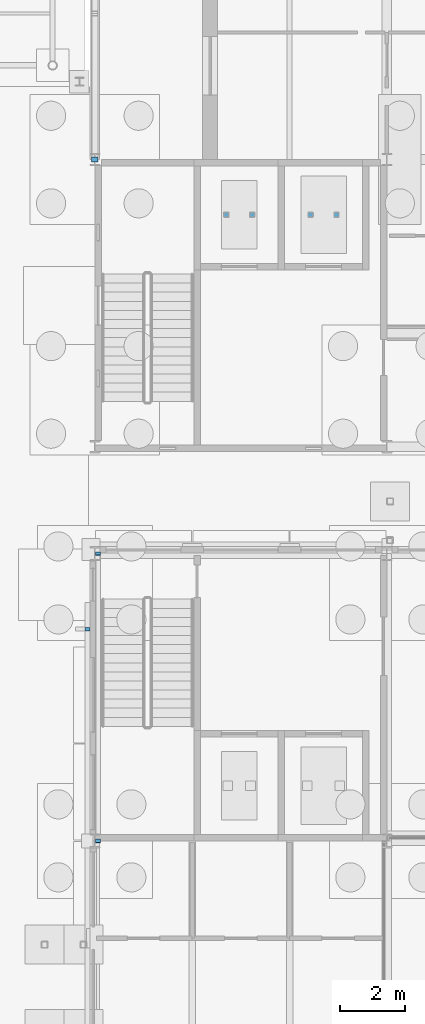
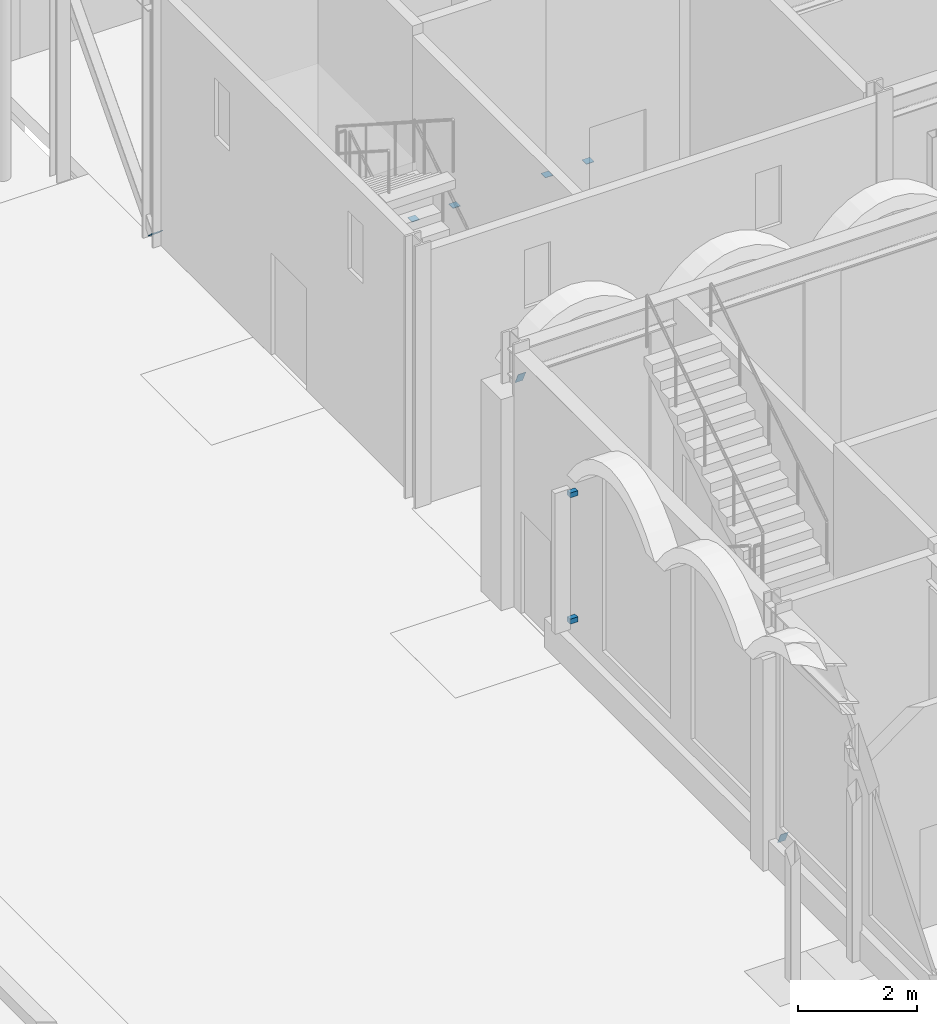
# One storey, part 94 of 126: 9 discrete accessories.
"""IFC4 building model written with IfcOpenShell, lengths in metres."""

from ifc_helpers import new_model, si_unit, direction, frame, origin, origin_2d, place, context, subcontext, project, spatial, rectangle, extrude, material, material_profile, profile_set, type_object, element, save


model = new_model("IFC4")

# Units and contexts
model_context = context("Model", 3, precision=1e-05, world=origin(), true_north=direction((0.0, 1.0)))
body_context = subcontext(model_context, "Body", "Model", "MODEL_VIEW")
ifc_project = project(units=[si_unit("LENGTHUNIT", "METRE"), si_unit("AREAUNIT", "SQUARE_METRE"), si_unit("VOLUMEUNIT", "CUBIC_METRE"), si_unit("PLANEANGLEUNIT", "RADIAN"), si_unit("MASSUNIT", "GRAM", prefix="KILO")], contexts=[model_context])

# Site, building, storey
site_placement = place(None, origin())
site = spatial("IfcSite", under=ifc_project, at=site_placement, CompositionType="ELEMENT")
building_placement = place(site_placement, origin())
building = spatial("IfcBuilding", under=site, at=building_placement, Name="Kallimachos Central Library", CompositionType="ELEMENT")
storey_placement = place(building_placement, origin())
storey = spatial("IfcBuildingStorey", under=building, at=storey_placement, Name="L00", CompositionType="ELEMENT", Elevation=0.0)

# Discrete accessories
ifc_material_1 = material(Name="Steel S355J2", Category="steel")
ifc_material_profile_1 = material_profile(ifc_material_1, rectangle(XDim=0.14990234375, YDim=0.14990234375, at=origin_2d()), Name="End cap plate 10, 150x150")
ifc_profile_set_1 = profile_set([ifc_material_profile_1], Name="Steel S355J2")
discrete_accessory_type_1 = type_object("IfcDiscreteAccessoryType", Name="End cap plate 10, 150x150", PredefinedType="BRACKET", material=ifc_profile_set_1)
for number, where, z_axis, x_axis, name in (
    (1, (69.550048828125, 94.300048828125, 0.050048828125), (0.0, 0.0, 1.0), (1.0, 0.0, 0.0), "End cap plate"),
    (2, (70.35009765625, 94.300048828125, 0.050048828125), (0.0, 0.0, 1.0), (1.0, 0.0, 0.0), "End cap plate"),
    (3, (72.14990234375, 94.300048828125, 0.050048828125), (0.0, 0.0, 1.0), (1.0, 0.0, 0.0), "End cap plate"),
    (4, (72.949951171875, 94.300048828125, 0.050048828125), (0.0, 0.0, 1.0), (1.0, 0.0, 0.0), "End cap plate"),
):
    element("IfcDiscreteAccessory", number, at=place(storey_placement, frame(where, z_axis=z_axis, x_axis=x_axis)), inside=storey, type_object=discrete_accessory_type_1, Name=name, PredefinedType="BRACKET", context=body_context, shape_type="SweptSolid", body=[
        extrude(rectangle(XDim=0.14990234375, YDim=0.14990234375, at=origin_2d()), origin(), (0.0, 0.0, 1.0), 0.010009765625),
    ])
ifc_material_2 = material(Name="Steel S355J2", Category="steel")
ifc_material_profile_2 = material_profile(ifc_material_2, rectangle(XDim=0.14990234375, YDim=0.25, at=origin_2d()), Name="End cap plate 10, 150x250")
ifc_profile_set_2 = profile_set([ifc_material_profile_2], Name="Steel S355J2")
discrete_accessory_type_2 = type_object("IfcDiscreteAccessoryType", Name="End cap plate 10, 150x250", PredefinedType="BRACKET", material=ifc_profile_set_2)
for number, where, z_axis, x_axis, name in (
    (5, (65.60009765625, 74.990966796875, 0.395751953125), (0.0, 0.908676843963, 0.417500171551), (-1.0, 0.0, 0.0), "End cap plate"),
    (6, (65.60009765625, 83.85009765625, 4.5), (0.0, 0.908676843963, 0.417500171551), (-1.0, 0.0, 0.0), "End cap plate"),
):
    element("IfcDiscreteAccessory", number, at=place(storey_placement, frame(where, z_axis=z_axis, x_axis=x_axis)), inside=storey, type_object=discrete_accessory_type_2, Name=name, PredefinedType="BRACKET", context=body_context, shape_type="SweptSolid", body=[
        extrude(rectangle(XDim=0.14990234375, YDim=0.25, at=origin_2d()), origin(), (0.0, 0.0, 1.0), 0.010009765625),
    ])
ifc_material_3 = material(Name="Steel S355J2", Category="steel")
ifc_material_profile_3 = material_profile(ifc_material_3, rectangle(XDim=0.199951171875, YDim=0.199951171875, at=origin_2d()), Name="End cap plate 10, 200x200")
ifc_profile_set_3 = profile_set([ifc_material_profile_3], Name="Steel S355J2")
discrete_accessory_type_3 = type_object("IfcDiscreteAccessoryType", Name="End cap plate 10, 200x200", PredefinedType="BRACKET", material=ifc_profile_set_3)
discrete_accessory_placement = place(storey_placement, frame((65.5, 95.993408203125, 0.142578125), z_axis=(0.0, 0.668964731622, 0.743294146247), x_axis=(-1.0, 0.0, 0.0)))
element("IfcDiscreteAccessory", 7, at=discrete_accessory_placement, inside=storey, type_object=discrete_accessory_type_3, Name="End cap plate", PredefinedType="BRACKET", context=body_context, shape_type="SweptSolid", body=[
    extrude(rectangle(XDim=0.199951171875, YDim=0.199951171875, at=origin_2d()), origin(), (0.0, 0.0, 1.0), 0.009765625),
])
ifc_material_4 = material(Name="Stainless steel", Category="steel")
discrete_accessory_type_4 = type_object("IfcDiscreteAccessoryType", Name="Fin bracket", PredefinedType="BRACKET", material=ifc_material_4)
for number, where, z_axis, x_axis, name in (
    (8, (65.271484375, 81.52490234375, 1.0), (0.0, 0.0, 1.0), (1.0, 0.0, 0.0), "Fin bracket -L00-028"),
    (9, (65.271484375, 81.52490234375, 3.599853515625), (0.0, 0.0, 1.0), (1.0, 0.0, 0.0), "Fin bracket -L00-028"),
):
    element("IfcDiscreteAccessory", number, at=place(storey_placement, frame(where, z_axis=z_axis, x_axis=x_axis)), inside=storey, type_object=discrete_accessory_type_4, Name=name, PredefinedType="BRACKET", context=body_context, shape_type="SweptSolid", body=[
        extrude(rectangle(XDim=0.14990234375, YDim=0.10009765625, at=origin_2d()), origin(), (0.0, 0.0, 1.0), 0.10009765625),
    ])

save(model, "model.ifc")
